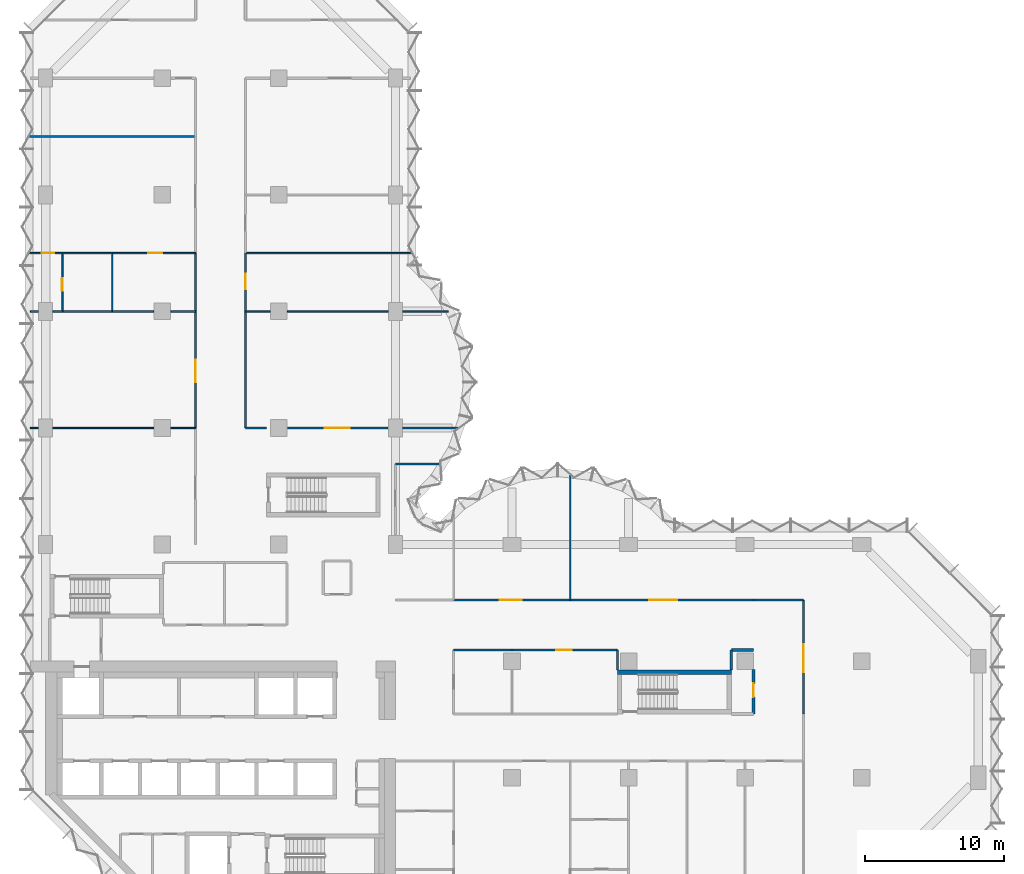
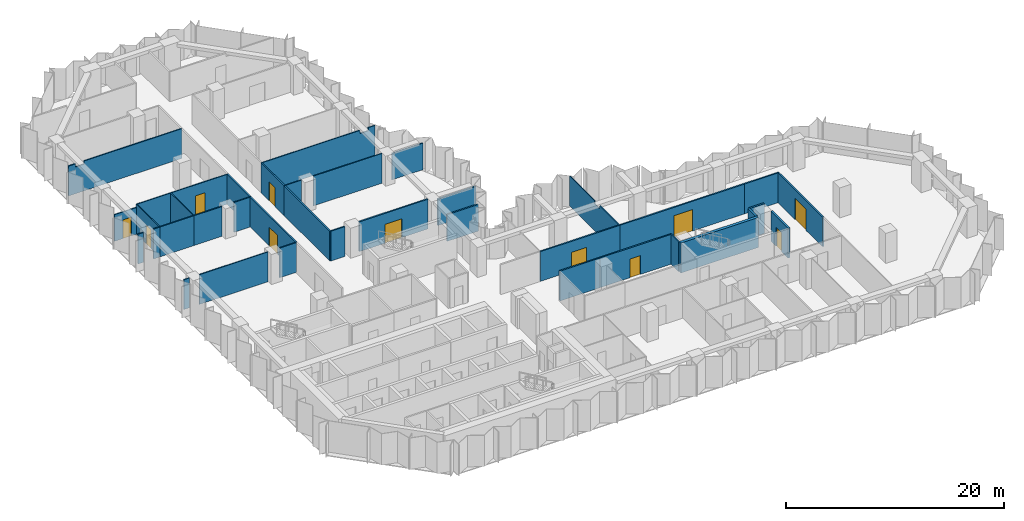
# One storey, part 10 of 13: 38 walls, 11 doors, 11 openings.
"""IFC4 building model written with IfcOpenShell, lengths in metres."""

from ifc_helpers import new_model, si_unit, direction, frame, frame_2d, origin, place, context, subcontext, project, spatial, polyline, rectangle, outline, extrude, material, layer, layer_set, type_object, element, fill, save


model = new_model("IFC4")

# Units and contexts
model_context = context("Model", 3, precision=1e-05, world=origin(), true_north=direction((0.0, 1.0)))
body_context = subcontext(model_context, "Body", "Model", "MODEL_VIEW")
ifc_project = project(units=[si_unit("LENGTHUNIT", "METRE"), si_unit("AREAUNIT", "SQUARE_METRE"), si_unit("VOLUMEUNIT", "CUBIC_METRE"), si_unit("PLANEANGLEUNIT", "RADIAN"), si_unit("MASSUNIT", "GRAM", prefix="KILO")], contexts=[model_context])

# Site, building, storey
site_placement = place(None, origin())
site = spatial("IfcSite", under=ifc_project, at=site_placement, CompositionType="ELEMENT")
building_placement = place(site_placement, origin())
building = spatial("IfcBuilding", under=site, at=building_placement, Name="Brevane Broadcast Tower", CompositionType="ELEMENT")
storey_placement = place(building_placement, frame((0.0, 0.0, 109.699951171875)))
storey = spatial("IfcBuildingStorey", under=building, at=storey_placement, Name="L26", CompositionType="ELEMENT", Elevation=109.699951171875)

# Walls
ifc_material_1 = material(Name="Concrete C60/75", Category="concrete")
ifc_layer_1 = layer(ifc_material_1, 0.300048828125)
ifc_layer_set_1 = layer_set([ifc_layer_1], Name="Core wall 300 mm C60/75")
wall_type_1 = type_object("IfcWallType", Name="Core wall 300 mm C60/75", PredefinedType="SHEAR", material=ifc_layer_set_1)
wall_1_placement = place(storey_placement, frame((41.199951171875, 16.0, 0.0), z_axis=(0.0, 0.0, 1.0), x_axis=(1.0, 0.0, 0.0)))
element("IfcWall", 1, at=wall_1_placement, inside=storey, type_object=wall_type_1, Name="L26 stair wall ST-4-N", PredefinedType="SHEAR", context=body_context, shape_type="SweptSolid", body=[
    extrude(rectangle(XDim=8.199951171875, YDim=0.300048828125, at=frame_2d((4.10009765625, 0.0))), origin(), (0.0, 0.0, 1.0), 3.35009765625),
])
ifc_material_2 = material(Name="Gypsum board partition")
ifc_layer_2 = layer(ifc_material_2, 0.10009765625)
ifc_layer_set_2 = layer_set([ifc_layer_2], Name="PARTITION 100 STUD")
wall_type_2 = type_object("IfcWallType", Name="PARTITION 100 STUD", PredefinedType="PARTITIONING", material=ifc_layer_set_2)
wall_2_placement = place(storey_placement, frame((37.800048828125, 30.24267578125, 0.0), z_axis=(0.0, 0.0, 1.0), x_axis=(0.0, -1.0, 0.0)))
element("IfcWall", 2, at=wall_2_placement, inside=storey, type_object=wall_type_2, Name="Partition G07-047", PredefinedType="PARTITIONING", context=body_context, shape_type="SweptSolid", body=[
    extrude(outline(polyline([(0.0, 0.0), (9.042724609375, 0.0), (9.042724609375, 3.330078125), (5.49267578125, 3.330078125), (5.49072265625, 2.97998046875), (4.5947265625, 2.97998046875), (4.5927734375, 3.330078125), (0.0, 3.330078125), (0.0, 0.0)])), frame((0.0, 0.050048828125, 0.0), z_axis=(0.0, -1.0, 0.0), x_axis=(1.0, 0.0, 0.0)), (0.0, 0.0, 1.0), 0.10009765625),
])
wall_3_placement = place(storey_placement, frame((-1.10009765625, 33.60009765625, 0.0), z_axis=(0.0, 0.0, 1.0), x_axis=(1.0, 0.0, 0.0)))
element("IfcWall", 3, at=wall_3_placement, inside=storey, type_object=wall_type_2, Name="Partition G07-066", PredefinedType="PARTITIONING", context=body_context, shape_type="SweptSolid", body=[
    extrude(rectangle(XDim=0.580078125, YDim=0.10009765625, at=frame_2d((0.2900390625, 0.0))), origin(), (0.0, 0.0, 1.0), 3.330078125),
])
wall_4_placement = place(storey_placement, frame((0.52001953125, 33.60009765625, 0.0), z_axis=(0.0, 0.0, 1.0), x_axis=(1.0, 0.0, 0.0)))
element("IfcWall", 4, at=wall_4_placement, inside=storey, type_object=wall_type_2, Name="Partition G07-067", PredefinedType="PARTITIONING", context=body_context, shape_type="SweptSolid", body=[
    extrude(rectangle(XDim=7.260009765625, YDim=0.10009765625, at=frame_2d((3.6298828125, 0.0))), origin(), (0.0, 0.0, 1.0), 3.330078125),
])
wall_5_placement = place(storey_placement, frame((9.02001953125, 33.60009765625, 0.0), z_axis=(0.0, 0.0, 1.0), x_axis=(1.0, 0.0, 0.0)))
element("IfcWall", 5, at=wall_5_placement, inside=storey, type_object=wall_type_2, Name="Partition G07-068", PredefinedType="PARTITIONING", context=body_context, shape_type="SweptSolid", body=[
    extrude(rectangle(XDim=1.780029296875, YDim=0.10009765625, at=frame_2d((0.89013671875, 0.0))), origin(), (0.0, 0.0, 1.0), 3.330078125),
])

# Wall, opening, door
wall_6_placement = place(storey_placement, frame((1.199951171875, 46.199951171875, 0.0), z_axis=(0.0, 0.0, 1.0), x_axis=(-1.0, 0.0, 0.0)))
wall_6 = element("IfcWall", 6, at=wall_6_placement, inside=storey, type_object=wall_type_2, Name="Partition G07-074", PredefinedType="PARTITIONING", context=body_context, shape_type="SweptSolid", body=[
    extrude(rectangle(XDim=2.3740234375, YDim=0.10009765625, at=frame_2d((1.18701171875, 0.0))), origin(), (0.0, 0.0, 1.0), 2.97998046875),
])
opening_1_placement = place(wall_6_placement, frame((0.60009765625, 0.0, 0.0)))
opening_1 = element("IfcOpeningElement", 7, at=opening_1_placement, cuts=wall_6, Name="Opening D14-021", PredefinedType="OPENING", context=body_context, shape_type="SweptSolid", body=[
    extrude(rectangle(XDim=0.89990234375, YDim=2.10009765625, at=frame_2d((0.449951171875, 1.050048828125))), frame((0.0, 0.06005859375, 0.0), z_axis=(0.0, -1.0, 0.0), x_axis=(1.0, 0.0, 0.0)), (0.0, 0.0, 1.0), 0.1201171875),
])
ifc_material_3 = material(Name="Timber door leaf", Category="wood")
door_type_1 = type_object("IfcDoorType", Name="DOOR SINGLE 900 INTERNAL", OperationType="SINGLE_SWING_LEFT", PredefinedType="DOOR", material=ifc_material_3)
door_1_placement = place(opening_1_placement, origin())
door_1 = element("IfcDoor", 8, at=door_1_placement, inside=storey, type_object=door_type_1, Name="Door D14-021", OperationType="SINGLE_SWING_LEFT", OverallHeight=2.10009765625, OverallWidth=0.89990234375, PredefinedType="DOOR", context=body_context, shape_type="SweptSolid", body=[
    extrude(rectangle(XDim=0.89990234375, YDim=2.10009765625, at=frame_2d((0.449951171875, 1.050048828125))), frame((0.0, 0.02490234375, 0.0), z_axis=(0.0, -1.0, 0.0), x_axis=(1.0, 0.0, 0.0)), (0.0, 0.0, 1.0), 0.050048828125),
])
fill(opening_1, door_1)

# Wall
wall_7_placement = place(storey_placement, frame((4.800048828125, 46.199951171875, 0.0), z_axis=(0.0, 0.0, 1.0), x_axis=(-1.0, 0.0, 0.0)))
element("IfcWall", 9, at=wall_7_placement, inside=storey, type_object=wall_type_2, Name="Partition G07-075", PredefinedType="PARTITIONING", context=body_context, shape_type="SweptSolid", body=[
    extrude(rectangle(XDim=3.60009765625, YDim=0.10009765625, at=frame_2d((1.800048828125, 0.0))), origin(), (0.0, 0.0, 1.0), 3.330078125),
])

# Wall, opening, door
wall_8_placement = place(storey_placement, frame((10.800048828125, 46.199951171875, 0.0), z_axis=(0.0, 0.0, 1.0), x_axis=(-1.0, 0.0, 0.0)))
wall_8 = element("IfcWall", 10, at=wall_8_placement, inside=storey, type_object=wall_type_2, Name="Partition G07-076", PredefinedType="PARTITIONING", context=body_context, shape_type="SweptSolid", body=[
    extrude(rectangle(XDim=6.0, YDim=0.10009765625, at=frame_2d((3.0, 0.0))), origin(), (0.0, 0.0, 1.0), 3.330078125),
])
opening_2_placement = place(wall_8_placement, frame((2.39990234375, 0.0, 0.0)))
opening_2 = element("IfcOpeningElement", 11, at=opening_2_placement, cuts=wall_8, Name="Opening D14-023", PredefinedType="OPENING", context=body_context, shape_type="SweptSolid", body=[
    extrude(rectangle(XDim=1.0, YDim=2.10009765625, at=frame_2d((0.5, 1.050048828125))), frame((0.0, 0.06005859375, 0.0), z_axis=(0.0, -1.0, 0.0), x_axis=(1.0, 0.0, 0.0)), (0.0, 0.0, 1.0), 0.1201171875),
])
door_type_2 = type_object("IfcDoorType", Name="DOOR SINGLE 1000 INTERNAL", OperationType="SINGLE_SWING_LEFT", PredefinedType="DOOR", material=ifc_material_3)
door_2_placement = place(opening_2_placement, origin())
door_2 = element("IfcDoor", 12, at=door_2_placement, inside=storey, type_object=door_type_2, Name="Door D14-023", OperationType="SINGLE_SWING_LEFT", OverallHeight=2.10009765625, OverallWidth=1.0, PredefinedType="DOOR", context=body_context, shape_type="SweptSolid", body=[
    extrude(rectangle(XDim=1.0, YDim=2.10009765625, at=frame_2d((0.5, 1.050048828125))), frame((0.0, 0.02490234375, 0.0), z_axis=(0.0, -1.0, 0.0), x_axis=(1.0, 0.0, 0.0)), (0.0, 0.0, 1.0), 0.050048828125),
])
fill(opening_2, door_2)

wall_9_placement = place(storey_placement, frame((1.199951171875, 46.199951171875, 0.0), z_axis=(0.0, 0.0, 1.0), x_axis=(0.0, -1.0, 0.0)))
wall_9 = element("IfcWall", 13, at=wall_9_placement, inside=storey, type_object=wall_type_2, Name="Partition G07-078", PredefinedType="PARTITIONING", context=body_context, shape_type="SweptSolid", body=[
    extrude(rectangle(XDim=4.199951171875, YDim=0.10009765625, at=frame_2d((2.10009765625, 0.0))), origin(), (0.0, 0.0, 1.0), 3.330078125),
])
opening_3_placement = place(wall_9_placement, frame((1.800048828125, 0.0, 0.0)))
opening_3 = element("IfcOpeningElement", 14, at=opening_3_placement, cuts=wall_9, Name="Opening D14-022", PredefinedType="OPENING", context=body_context, shape_type="SweptSolid", body=[
    extrude(rectangle(XDim=0.89990234375, YDim=2.10009765625, at=frame_2d((0.449951171875, 1.050048828125))), frame((0.0, 0.06005859375, 0.0), z_axis=(0.0, -1.0, 0.0), x_axis=(1.0, 0.0, 0.0)), (0.0, 0.0, 1.0), 0.1201171875),
])
door_3_placement = place(opening_3_placement, origin())
door_3 = element("IfcDoor", 15, at=door_3_placement, inside=storey, type_object=door_type_1, Name="Door D14-022", OperationType="SINGLE_SWING_LEFT", OverallHeight=2.10009765625, OverallWidth=0.89990234375, PredefinedType="DOOR", context=body_context, shape_type="SweptSolid", body=[
    extrude(rectangle(XDim=0.89990234375, YDim=2.10009765625, at=frame_2d((0.449951171875, 1.050048828125))), frame((0.0, 0.02490234375, 0.0), z_axis=(0.0, -1.0, 0.0), x_axis=(1.0, 0.0, 0.0)), (0.0, 0.0, 1.0), 0.050048828125),
])
fill(opening_3, door_3)

# Walls
wall_10_placement = place(storey_placement, frame((4.800048828125, 46.199951171875, 0.0), z_axis=(0.0, 0.0, 1.0), x_axis=(0.0, -1.0, 0.0)))
element("IfcWall", 16, at=wall_10_placement, inside=storey, type_object=wall_type_2, Name="Partition G07-079", PredefinedType="PARTITIONING", context=body_context, shape_type="SweptSolid", body=[
    extrude(rectangle(XDim=4.199951171875, YDim=0.10009765625, at=frame_2d((2.10009765625, 0.0))), origin(), (0.0, 0.0, 1.0), 3.330078125),
])
wall_11_placement = place(storey_placement, frame((14.39990234375, 42.0, 0.0), z_axis=(0.0, 0.0, 1.0), x_axis=(1.0, 0.0, 0.0)))
element("IfcWall", 17, at=wall_11_placement, inside=storey, type_object=wall_type_2, Name="Partition G07-084", PredefinedType="PARTITIONING", context=body_context, shape_type="SweptSolid", body=[
    extrude(rectangle(XDim=1.780029296875, YDim=0.10009765625, at=frame_2d((0.89013671875, 0.0))), origin(), (0.0, 0.0, 1.0), 3.330078125),
])
wall_12_placement = place(storey_placement, frame((17.419921875, 42.0, 0.0), z_axis=(0.0, 0.0, 1.0), x_axis=(1.0, 0.0, 0.0)))
element("IfcWall", 18, at=wall_12_placement, inside=storey, type_object=wall_type_2, Name="Partition G07-085", PredefinedType="PARTITIONING", context=body_context, shape_type="SweptSolid", body=[
    extrude(rectangle(XDim=7.260009765625, YDim=0.10009765625, at=frame_2d((3.6298828125, 0.0))), origin(), (0.0, 0.0, 1.0), 3.330078125),
])
wall_13_placement = place(storey_placement, frame((25.719970703125, 42.0, 0.0), z_axis=(0.0, 0.0, 1.0), x_axis=(1.0, 0.0, 0.0)))
element("IfcWall", 19, at=wall_13_placement, inside=storey, type_object=wall_type_2, Name="Partition G07-086", PredefinedType="PARTITIONING", context=body_context, shape_type="SweptSolid", body=[
    extrude(rectangle(XDim=3.29150390625, YDim=0.10009765625, at=frame_2d((1.645751953125, 0.0))), origin(), (0.0, 0.0, 1.0), 2.97998046875),
])
wall_14_placement = place(storey_placement, frame((14.39990234375, 46.199951171875, 0.0), z_axis=(0.0, 0.0, 1.0), x_axis=(1.0, 0.0, 0.0)))
element("IfcWall", 20, at=wall_14_placement, inside=storey, type_object=wall_type_2, Name="Partition G07-087", PredefinedType="PARTITIONING", context=body_context, shape_type="SweptSolid", body=[
    extrude(outline(polyline([(0.0, 0.0), (11.97412109375, 0.0), (11.97412109375, 3.330078125), (11.89990234375, 3.330078125), (11.25, 3.330078125), (11.248046875, 2.97998046875), (10.35205078125, 2.97998046875), (10.35009765625, 3.330078125), (0.0, 3.330078125), (0.0, 0.0)])), frame((0.0, 0.050048828125, 0.0), z_axis=(0.0, -1.0, 0.0), x_axis=(1.0, 0.0, 0.0)), (0.0, 0.0, 1.0), 0.10009765625),
])
ifc_layer_3 = layer(ifc_material_2, 0.125)
ifc_layer_set_3 = layer_set([ifc_layer_3], Name="PARTITION 125 ACOUSTIC")
wall_type_3 = type_object("IfcWallType", Name="PARTITION 125 ACOUSTIC", PredefinedType="PARTITIONING", material=ifc_layer_set_3)
wall_15_placement = place(storey_placement, frame((-1.10009765625, 42.0, 0.0), z_axis=(0.0, 0.0, 1.0), x_axis=(1.0, 0.0, 0.0)))
element("IfcWall", 21, at=wall_15_placement, inside=storey, type_object=wall_type_3, Name="Partition G07-069", PredefinedType="PARTITIONING", context=body_context, shape_type="SweptSolid", body=[
    extrude(rectangle(XDim=0.580078125, YDim=0.125, at=frame_2d((0.2900390625, 0.0))), origin(), (0.0, 0.0, 1.0), 3.330078125),
])
wall_16_placement = place(storey_placement, frame((0.52001953125, 42.0, 0.0), z_axis=(0.0, 0.0, 1.0), x_axis=(1.0, 0.0, 0.0)))
element("IfcWall", 22, at=wall_16_placement, inside=storey, type_object=wall_type_3, Name="Partition G07-070", PredefinedType="PARTITIONING", context=body_context, shape_type="SweptSolid", body=[
    extrude(rectangle(XDim=0.679931640625, YDim=0.125, at=frame_2d((0.33984375, 0.0))), origin(), (0.0, 0.0, 1.0), 3.330078125),
])
wall_17_placement = place(storey_placement, frame((1.199951171875, 42.0, 0.0), z_axis=(0.0, 0.0, 1.0), x_axis=(1.0, 0.0, 0.0)))
element("IfcWall", 23, at=wall_17_placement, inside=storey, type_object=wall_type_3, Name="Partition G07-071", PredefinedType="PARTITIONING", context=body_context, shape_type="SweptSolid", body=[
    extrude(rectangle(XDim=3.60009765625, YDim=0.125, at=frame_2d((1.800048828125, 0.0))), origin(), (0.0, 0.0, 1.0), 3.330078125),
])
wall_18_placement = place(storey_placement, frame((4.800048828125, 42.0, 0.0), z_axis=(0.0, 0.0, 1.0), x_axis=(1.0, 0.0, 0.0)))
element("IfcWall", 24, at=wall_18_placement, inside=storey, type_object=wall_type_3, Name="Partition G07-072", PredefinedType="PARTITIONING", context=body_context, shape_type="SweptSolid", body=[
    extrude(rectangle(XDim=2.97998046875, YDim=0.125, at=frame_2d((1.489990234375, 0.0))), origin(), (0.0, 0.0, 1.0), 3.330078125),
])
wall_19_placement = place(storey_placement, frame((9.02001953125, 42.0, 0.0), z_axis=(0.0, 0.0, 1.0), x_axis=(1.0, 0.0, 0.0)))
element("IfcWall", 25, at=wall_19_placement, inside=storey, type_object=wall_type_3, Name="Partition G07-073", PredefinedType="PARTITIONING", context=body_context, shape_type="SweptSolid", body=[
    extrude(rectangle(XDim=1.780029296875, YDim=0.125, at=frame_2d((0.89013671875, 0.0))), origin(), (0.0, 0.0, 1.0), 3.330078125),
])
wall_20_placement = place(storey_placement, frame((-1.174072265625, 54.60009765625, 0.0), z_axis=(0.0, 0.0, 1.0), x_axis=(1.0, 0.0, 0.0)))
element("IfcWall", 26, at=wall_20_placement, inside=storey, type_object=wall_type_3, Name="Partition G07-077", PredefinedType="PARTITIONING", context=body_context, shape_type="SweptSolid", body=[
    extrude(outline(polyline([(0.0, 0.0), (11.97412109375, 0.0), (11.97412109375, 3.330078125), (1.6240234375, 3.330078125), (1.6220703125, 2.97998046875), (0.72607421875, 2.97998046875), (0.72412109375, 3.330078125), (0.073974609375, 3.330078125), (0.0, 3.330078125), (0.0, 0.0)])), frame((0.0, 0.0625, 0.0), z_axis=(0.0, -1.0, 0.0), x_axis=(1.0, 0.0, 0.0)), (0.0, 0.0, 1.0), 0.125),
])
ifc_layer_4 = layer(ifc_material_2, 0.14990234375)
ifc_layer_set_4 = layer_set([ifc_layer_4], Name="PARTITION 150 EI 60")
wall_type_4 = type_object("IfcWallType", Name="PARTITION 150 EI 60", PredefinedType="PARTITIONING", material=ifc_layer_set_4)
wall_21_placement = place(storey_placement, frame((25.199951171875, 31.0, 0.0), z_axis=(0.0, 0.0, 1.0), x_axis=(1.0, 0.0, 0.0)))
element("IfcWall", 27, at=wall_21_placement, inside=storey, type_object=wall_type_4, Name="Partition G07-006", PredefinedType="PARTITIONING", context=body_context, shape_type="SweptSolid", body=[
    extrude(rectangle(XDim=3.32421875, YDim=0.14990234375, at=frame_2d((1.662109375, 0.0))), origin(), (0.0, 0.0, 1.0), 2.97998046875),
])

# Wall, opening, door
wall_22_placement = place(storey_placement, frame((54.60009765625, 21.199951171875, 0.0), z_axis=(0.0, 0.0, 1.0), x_axis=(0.0, -1.0, 0.0)))
wall_22 = element("IfcWall", 28, at=wall_22_placement, inside=storey, type_object=wall_type_4, Name="Partition G07-016", PredefinedType="PARTITIONING", context=body_context, shape_type="SweptSolid", body=[
    extrude(rectangle(XDim=8.199951171875, YDim=0.14990234375, at=frame_2d((4.10009765625, 0.0))), origin(), (0.0, 0.0, 1.0), 3.330078125),
])
opening_4_placement = place(wall_22_placement, frame((3.199951171875, 0.0, 0.0)))
opening_4 = element("IfcOpeningElement", 29, at=opening_4_placement, cuts=wall_22, Name="Opening D14-002", PredefinedType="OPENING", context=body_context, shape_type="SweptSolid", body=[
    extrude(rectangle(XDim=2.0, YDim=2.39990234375, at=frame_2d((1.0, 1.199951171875))), frame((0.0, 0.0849609375, 0.0), z_axis=(0.0, -1.0, 0.0), x_axis=(1.0, 0.0, 0.0)), (0.0, 0.0, 1.0), 0.169921875),
])
ifc_material_4 = material(Name="Fire-rated timber door leaf", Category="wood")
door_type_3 = type_object("IfcDoorType", Name="DOOR DOUBLE 2000 FD30S", OperationType="DOUBLE_DOOR_SINGLE_SWING", PredefinedType="DOOR", material=ifc_material_4)
door_4_placement = place(opening_4_placement, origin())
door_4 = element("IfcDoor", 30, at=door_4_placement, inside=storey, type_object=door_type_3, Name="Door D14-002", OperationType="DOUBLE_DOOR_SINGLE_SWING", OverallHeight=2.39990234375, OverallWidth=2.0, PredefinedType="DOOR", context=body_context, shape_type="SweptSolid", body=[
    extrude(rectangle(XDim=2.0, YDim=2.39990234375, at=frame_2d((1.0, 1.199951171875))), frame((0.0, 0.02490234375, 0.0), z_axis=(0.0, -1.0, 0.0), x_axis=(1.0, 0.0, 0.0)), (0.0, 0.0, 1.0), 0.050048828125),
])
fill(opening_4, door_4)

# Walls
wall_23_placement = place(storey_placement, frame((33.60009765625, 17.60009765625, 0.0), z_axis=(0.0, 0.0, 1.0), x_axis=(-1.0, 0.0, 0.0)))
element("IfcWall", 31, at=wall_23_placement, inside=storey, type_object=wall_type_4, Name="Partition G07-018", PredefinedType="PARTITIONING", context=body_context, shape_type="SweptSolid", body=[
    extrude(rectangle(XDim=4.2001953125, YDim=0.14990234375, at=frame_2d((2.10009765625, 0.0))), origin(), (0.0, 0.0, 1.0), 3.330078125),
])
wall_24_placement = place(storey_placement, frame((41.199951171875, 16.14990234375, 0.0), z_axis=(0.0, 0.0, 1.0), x_axis=(0.0, 1.0, 0.0)))
element("IfcWall", 32, at=wall_24_placement, inside=storey, type_object=wall_type_4, Name="Partition G07-019", PredefinedType="PARTITIONING", context=body_context, shape_type="SweptSolid", body=[
    extrude(rectangle(XDim=1.4501953125, YDim=0.14990234375, at=frame_2d((0.72509765625, 0.0))), origin(), (0.0, 0.0, 1.0), 3.330078125),
])

# Wall, opening, door
wall_25_placement = place(storey_placement, frame((41.199951171875, 17.60009765625, 0.0), z_axis=(0.0, 0.0, 1.0), x_axis=(-1.0, 0.0, 0.0)))
wall_25 = element("IfcWall", 33, at=wall_25_placement, inside=storey, type_object=wall_type_4, Name="Partition G07-020", PredefinedType="PARTITIONING", context=body_context, shape_type="SweptSolid", body=[
    extrude(rectangle(XDim=7.599853515625, YDim=0.14990234375, at=frame_2d((3.7998046875, 0.0))), origin(), (0.0, 0.0, 1.0), 3.330078125),
])
opening_5_placement = place(wall_25_placement, frame((3.300048828125, 0.0, 0.0)))
opening_5 = element("IfcOpeningElement", 34, at=opening_5_placement, cuts=wall_25, Name="Opening D14-004", PredefinedType="OPENING", context=body_context, shape_type="SweptSolid", body=[
    extrude(rectangle(XDim=1.10009765625, YDim=2.10009765625, at=frame_2d((0.550048828125, 1.050048828125))), frame((0.0, 0.0849609375, 0.0), z_axis=(0.0, -1.0, 0.0), x_axis=(1.0, 0.0, 0.0)), (0.0, 0.0, 1.0), 0.169921875),
])
door_type_4 = type_object("IfcDoorType", Name="DOOR SINGLE 1100 FD30S", OperationType="SINGLE_SWING_LEFT", PredefinedType="DOOR", material=ifc_material_4)
door_5_placement = place(opening_5_placement, origin())
door_5 = element("IfcDoor", 35, at=door_5_placement, inside=storey, type_object=door_type_4, Name="Door D14-004", OperationType="SINGLE_SWING_LEFT", OverallHeight=2.10009765625, OverallWidth=1.10009765625, PredefinedType="DOOR", context=body_context, shape_type="SweptSolid", body=[
    extrude(rectangle(XDim=1.10009765625, YDim=2.10009765625, at=frame_2d((0.550048828125, 1.050048828125))), frame((0.0, 0.02490234375, 0.0), z_axis=(0.0, -1.0, 0.0), x_axis=(1.0, 0.0, 0.0)), (0.0, 0.0, 1.0), 0.050048828125),
])
fill(opening_5, door_5)

wall_26_placement = place(storey_placement, frame((29.39990234375, 21.199951171875, 0.0), z_axis=(0.0, 0.0, 1.0), x_axis=(1.0, 0.0, 0.0)))
wall_26 = element("IfcWall", 36, at=wall_26_placement, inside=storey, type_object=wall_type_4, Name="Partition G07-023", PredefinedType="PARTITIONING", context=body_context, shape_type="SweptSolid", body=[
    extrude(rectangle(XDim=8.400146484375, YDim=0.14990234375, at=frame_2d((4.2001953125, 0.0))), origin(), (0.0, 0.0, 1.0), 3.330078125),
])
opening_6_placement = place(wall_26_placement, frame((3.300048828125, 0.0, 0.0)))
opening_6 = element("IfcOpeningElement", 37, at=opening_6_placement, cuts=wall_26, Name="Opening D14-016", PredefinedType="OPENING", context=body_context, shape_type="SweptSolid", body=[
    extrude(rectangle(XDim=1.60009765625, YDim=2.10009765625, at=frame_2d((0.800048828125, 1.050048828125))), frame((0.0, 0.0849609375, 0.0), z_axis=(0.0, -1.0, 0.0), x_axis=(1.0, 0.0, 0.0)), (0.0, 0.0, 1.0), 0.169921875),
])
door_type_5 = type_object("IfcDoorType", Name="DOOR DOUBLE 1600 FD30S", OperationType="DOUBLE_DOOR_SINGLE_SWING", PredefinedType="DOOR", material=ifc_material_4)
door_6_placement = place(opening_6_placement, origin())
door_6 = element("IfcDoor", 38, at=door_6_placement, inside=storey, type_object=door_type_5, Name="Door D14-016", OperationType="DOUBLE_DOOR_SINGLE_SWING", OverallHeight=2.10009765625, OverallWidth=1.60009765625, PredefinedType="DOOR", context=body_context, shape_type="SweptSolid", body=[
    extrude(rectangle(XDim=1.60009765625, YDim=2.10009765625, at=frame_2d((0.800048828125, 1.050048828125))), frame((0.0, 0.02490234375, 0.0), z_axis=(0.0, -1.0, 0.0), x_axis=(1.0, 0.0, 0.0)), (0.0, 0.0, 1.0), 0.050048828125),
])
fill(opening_6, door_6)

wall_27_placement = place(storey_placement, frame((37.800048828125, 21.199951171875, 0.0), z_axis=(0.0, 0.0, 1.0), x_axis=(1.0, 0.0, 0.0)))
wall_27 = element("IfcWall", 39, at=wall_27_placement, inside=storey, type_object=wall_type_4, Name="Partition G07-024", PredefinedType="PARTITIONING", context=body_context, shape_type="SweptSolid", body=[
    extrude(rectangle(XDim=13.199951171875, YDim=0.14990234375, at=frame_2d((6.60009765625, 0.0))), origin(), (0.0, 0.0, 1.0), 3.330078125),
])
opening_7_placement = place(wall_27_placement, frame((5.699951171875, 0.0, 0.0)))
opening_7 = element("IfcOpeningElement", 40, at=opening_7_placement, cuts=wall_27, Name="Opening D14-017", PredefinedType="OPENING", context=body_context, shape_type="SweptSolid", body=[
    extrude(rectangle(XDim=2.0, YDim=2.39990234375, at=frame_2d((1.0, 1.199951171875))), frame((0.0, 0.0849609375, 0.0), z_axis=(0.0, -1.0, 0.0), x_axis=(1.0, 0.0, 0.0)), (0.0, 0.0, 1.0), 0.169921875),
])
door_7_placement = place(opening_7_placement, origin())
door_7 = element("IfcDoor", 41, at=door_7_placement, inside=storey, type_object=door_type_3, Name="Door D14-017", OperationType="DOUBLE_DOOR_SINGLE_SWING", OverallHeight=2.39990234375, OverallWidth=2.0, PredefinedType="DOOR", context=body_context, shape_type="SweptSolid", body=[
    extrude(rectangle(XDim=2.0, YDim=2.39990234375, at=frame_2d((1.0, 1.199951171875))), frame((0.0, 0.02490234375, 0.0), z_axis=(0.0, -1.0, 0.0), x_axis=(1.0, 0.0, 0.0)), (0.0, 0.0, 1.0), 0.050048828125),
])
fill(opening_7, door_7)

# Walls
wall_28_placement = place(storey_placement, frame((51.0, 21.199951171875, 0.0), z_axis=(0.0, 0.0, 1.0), x_axis=(1.0, 0.0, 0.0)))
element("IfcWall", 42, at=wall_28_placement, inside=storey, type_object=wall_type_4, Name="Partition G07-026", PredefinedType="PARTITIONING", context=body_context, shape_type="SweptSolid", body=[
    extrude(rectangle(XDim=3.60009765625, YDim=0.14990234375, at=frame_2d((1.800048828125, 0.0))), origin(), (0.0, 0.0, 1.0), 3.330078125),
])
wall_29_placement = place(storey_placement, frame((14.39990234375, 33.60009765625, 0.0), z_axis=(0.0, 0.0, 1.0), x_axis=(1.0, 0.0, 0.0)))
element("IfcWall", 43, at=wall_29_placement, inside=storey, type_object=wall_type_4, Name="Partition G07-049", PredefinedType="PARTITIONING", context=body_context, shape_type="SweptSolid", body=[
    extrude(rectangle(XDim=1.5, YDim=0.14990234375, at=frame_2d((0.75, 0.0))), origin(), (0.0, 0.0, 1.0), 3.330078125),
])

# Wall, opening, door
wall_30_placement = place(storey_placement, frame((17.419921875, 33.60009765625, 0.0), z_axis=(0.0, 0.0, 1.0), x_axis=(1.0, 0.0, 0.0)))
wall_30 = element("IfcWall", 44, at=wall_30_placement, inside=storey, type_object=wall_type_4, Name="Partition G07-050", PredefinedType="PARTITIONING", context=body_context, shape_type="SweptSolid", body=[
    extrude(rectangle(XDim=7.260009765625, YDim=0.14990234375, at=frame_2d((3.6298828125, 0.0))), origin(), (0.0, 0.0, 1.0), 3.330078125),
])
opening_8_placement = place(wall_30_placement, frame((2.699951171875, 0.0, 0.0)))
opening_8 = element("IfcOpeningElement", 45, at=opening_8_placement, cuts=wall_30, Name="Opening D14-026", PredefinedType="OPENING", context=body_context, shape_type="SweptSolid", body=[
    extrude(rectangle(XDim=1.800048828125, YDim=2.10009765625, at=frame_2d((0.89990234375, 1.050048828125))), frame((0.0, 0.0849609375, 0.0), z_axis=(0.0, -1.0, 0.0), x_axis=(1.0, 0.0, 0.0)), (0.0, 0.0, 1.0), 0.169921875),
])
door_type_6 = type_object("IfcDoorType", Name="DOOR DOUBLE 1800 FD30S", OperationType="DOUBLE_DOOR_SINGLE_SWING", PredefinedType="DOOR", material=ifc_material_4)
door_8_placement = place(opening_8_placement, origin())
door_8 = element("IfcDoor", 46, at=door_8_placement, inside=storey, type_object=door_type_6, Name="Door D14-026", OperationType="DOUBLE_DOOR_SINGLE_SWING", OverallHeight=2.10009765625, OverallWidth=1.800048828125, PredefinedType="DOOR", context=body_context, shape_type="SweptSolid", body=[
    extrude(rectangle(XDim=1.800048828125, YDim=2.10009765625, at=frame_2d((0.89990234375, 1.050048828125))), frame((0.0, 0.02490234375, 0.0), z_axis=(0.0, -1.0, 0.0), x_axis=(1.0, 0.0, 0.0)), (0.0, 0.0, 1.0), 0.050048828125),
])
fill(opening_8, door_8)

# Wall
wall_31_placement = place(storey_placement, frame((25.719970703125, 33.60009765625, 0.0), z_axis=(0.0, 0.0, 1.0), x_axis=(1.0, 0.0, 0.0)))
element("IfcWall", 47, at=wall_31_placement, inside=storey, type_object=wall_type_4, Name="Partition G07-051", PredefinedType="PARTITIONING", context=body_context, shape_type="SweptSolid", body=[
    extrude(rectangle(XDim=4.0419921875, YDim=0.14990234375, at=frame_2d((2.02099609375, 0.0))), origin(), (0.0, 0.0, 1.0), 2.97998046875),
])

# Wall, opening, door
wall_32_placement = place(storey_placement, frame((10.800048828125, 33.60009765625, 0.0), z_axis=(0.0, 0.0, 1.0), x_axis=(0.0, 1.0, 0.0)))
wall_32 = element("IfcWall", 48, at=wall_32_placement, inside=storey, type_object=wall_type_4, Name="Partition G07-052", PredefinedType="PARTITIONING", context=body_context, shape_type="SweptSolid", body=[
    extrude(rectangle(XDim=8.39990234375, YDim=0.14990234375, at=frame_2d((4.199951171875, 0.0))), origin(), (0.0, 0.0, 1.0), 3.330078125),
])
opening_9_placement = place(wall_32_placement, frame((3.300048828125, 0.0, 0.0)))
opening_9 = element("IfcOpeningElement", 49, at=opening_9_placement, cuts=wall_32, Name="Opening D14-019", PredefinedType="OPENING", context=body_context, shape_type="SweptSolid", body=[
    extrude(rectangle(XDim=1.60009765625, YDim=2.10009765625, at=frame_2d((0.800048828125, 1.050048828125))), frame((0.0, 0.0849609375, 0.0), z_axis=(0.0, -1.0, 0.0), x_axis=(1.0, 0.0, 0.0)), (0.0, 0.0, 1.0), 0.169921875),
])
door_9_placement = place(opening_9_placement, origin())
door_9 = element("IfcDoor", 50, at=door_9_placement, inside=storey, type_object=door_type_5, Name="Door D14-019", OperationType="DOUBLE_DOOR_SINGLE_SWING", OverallHeight=2.10009765625, OverallWidth=1.60009765625, PredefinedType="DOOR", context=body_context, shape_type="SweptSolid", body=[
    extrude(rectangle(XDim=1.60009765625, YDim=2.10009765625, at=frame_2d((0.800048828125, 1.050048828125))), frame((0.0, 0.02490234375, 0.0), z_axis=(0.0, -1.0, 0.0), x_axis=(1.0, 0.0, 0.0)), (0.0, 0.0, 1.0), 0.050048828125),
])
fill(opening_9, door_9)

# Walls
wall_33_placement = place(storey_placement, frame((10.800048828125, 42.0, 0.0), z_axis=(0.0, 0.0, 1.0), x_axis=(0.0, 1.0, 0.0)))
element("IfcWall", 51, at=wall_33_placement, inside=storey, type_object=wall_type_4, Name="Partition G07-054", PredefinedType="PARTITIONING", context=body_context, shape_type="SweptSolid", body=[
    extrude(rectangle(XDim=4.199951171875, YDim=0.14990234375, at=frame_2d((2.10009765625, 0.0))), origin(), (0.0, 0.0, 1.0), 3.330078125),
])
wall_34_placement = place(storey_placement, frame((14.39990234375, 42.0, 0.0), z_axis=(0.0, 0.0, 1.0), x_axis=(0.0, -1.0, 0.0)))
element("IfcWall", 52, at=wall_34_placement, inside=storey, type_object=wall_type_4, Name="Partition G07-057", PredefinedType="PARTITIONING", context=body_context, shape_type="SweptSolid", body=[
    extrude(rectangle(XDim=8.39990234375, YDim=0.14990234375, at=frame_2d((4.199951171875, 0.0))), origin(), (0.0, 0.0, 1.0), 3.330078125),
])

# Wall, opening, door
wall_35_placement = place(storey_placement, frame((14.39990234375, 46.199951171875, 0.0), z_axis=(0.0, 0.0, 1.0), x_axis=(0.0, -1.0, 0.0)))
wall_35 = element("IfcWall", 53, at=wall_35_placement, inside=storey, type_object=wall_type_4, Name="Partition G07-058", PredefinedType="PARTITIONING", context=body_context, shape_type="SweptSolid", body=[
    extrude(rectangle(XDim=4.199951171875, YDim=0.14990234375, at=frame_2d((2.10009765625, 0.0))), origin(), (0.0, 0.0, 1.0), 3.330078125),
])
opening_10_placement = place(wall_35_placement, frame((1.5, 0.0, 0.0)))
opening_10 = element("IfcOpeningElement", 54, at=opening_10_placement, cuts=wall_35, Name="Opening D14-027", PredefinedType="OPENING", context=body_context, shape_type="SweptSolid", body=[
    extrude(rectangle(XDim=1.10009765625, YDim=2.10009765625, at=frame_2d((0.550048828125, 1.050048828125))), frame((0.0, 0.0849609375, 0.0), z_axis=(0.0, -1.0, 0.0), x_axis=(1.0, 0.0, 0.0)), (0.0, 0.0, 1.0), 0.169921875),
])
door_10_placement = place(opening_10_placement, origin())
door_10 = element("IfcDoor", 55, at=door_10_placement, inside=storey, type_object=door_type_4, Name="Door D14-027", OperationType="SINGLE_SWING_LEFT", OverallHeight=2.10009765625, OverallWidth=1.10009765625, PredefinedType="DOOR", context=body_context, shape_type="SweptSolid", body=[
    extrude(rectangle(XDim=1.10009765625, YDim=2.10009765625, at=frame_2d((0.550048828125, 1.050048828125))), frame((0.0, 0.02490234375, 0.0), z_axis=(0.0, -1.0, 0.0), x_axis=(1.0, 0.0, 0.0)), (0.0, 0.0, 1.0), 0.050048828125),
])
fill(opening_10, door_10)

# Walls
ifc_layer_5 = layer(ifc_material_2, 0.199951171875)
ifc_layer_set_5 = layer_set([ifc_layer_5], Name="PARTITION 200 EI 120")
wall_type_5 = type_object("IfcWallType", Name="PARTITION 200 EI 120", PredefinedType="PARTITIONING", material=ifc_layer_set_5)
wall_36_placement = place(storey_placement, frame((51.0, 17.60009765625, 0.0), z_axis=(0.0, 0.0, 1.0), x_axis=(-1.0, 0.0, 0.0)))
element("IfcWall", 56, at=wall_36_placement, inside=storey, type_object=wall_type_5, Name="Partition G07-021", PredefinedType="PARTITIONING", context=body_context, shape_type="SweptSolid", body=[
    extrude(rectangle(XDim=1.60009765625, YDim=0.199951171875, at=frame_2d((0.800048828125, 0.0))), origin(), (0.0, 0.0, 1.0), 3.330078125),
])
wall_37_placement = place(storey_placement, frame((49.39990234375, 17.60009765625, 0.0), z_axis=(0.0, 0.0, 1.0), x_axis=(0.0, -1.0, 0.0)))
element("IfcWall", 57, at=wall_37_placement, inside=storey, type_object=wall_type_5, Name="Partition G07-022", PredefinedType="PARTITIONING", context=body_context, shape_type="SweptSolid", body=[
    extrude(rectangle(XDim=1.4501953125, YDim=0.199951171875, at=frame_2d((0.72509765625, 0.0))), origin(), (0.0, 0.0, 1.0), 3.330078125),
])

# Wall, opening, door
wall_38_placement = place(storey_placement, frame((51.0, 13.0, 0.0), z_axis=(0.0, 0.0, 1.0), x_axis=(0.0, 1.0, 0.0)))
wall_38 = element("IfcWall", 58, at=wall_38_placement, inside=storey, type_object=wall_type_5, Name="Partition G07-025", PredefinedType="PARTITIONING", context=body_context, shape_type="SweptSolid", body=[
    extrude(rectangle(XDim=3.179931640625, YDim=0.199951171875, at=frame_2d((1.58984375, 0.0))), origin(), (0.0, 0.0, 1.0), 3.330078125),
])
opening_11_placement = place(wall_38_placement, frame((1.199951171875, 0.0, 0.0)))
opening_11 = element("IfcOpeningElement", 59, at=opening_11_placement, cuts=wall_38, Name="Opening D14-005", PredefinedType="OPENING", context=body_context, shape_type="SweptSolid", body=[
    extrude(rectangle(XDim=1.0, YDim=2.10009765625, at=frame_2d((0.5, 1.050048828125))), frame((0.0, 0.10986328125, 0.0), z_axis=(0.0, -1.0, 0.0), x_axis=(1.0, 0.0, 0.0)), (0.0, 0.0, 1.0), 0.219970703125),
])
door_type_7 = type_object("IfcDoorType", Name="DOOR SINGLE 1000 FD60", OperationType="SINGLE_SWING_LEFT", PredefinedType="DOOR", material=ifc_material_4)
door_11_placement = place(opening_11_placement, origin())
door_11 = element("IfcDoor", 60, at=door_11_placement, inside=storey, type_object=door_type_7, Name="Door D14-005", OperationType="SINGLE_SWING_LEFT", OverallHeight=2.10009765625, OverallWidth=1.0, PredefinedType="DOOR", context=body_context, shape_type="SweptSolid", body=[
    extrude(rectangle(XDim=1.0, YDim=2.10009765625, at=frame_2d((0.5, 1.050048828125))), frame((0.0, 0.02490234375, 0.0), z_axis=(0.0, -1.0, 0.0), x_axis=(1.0, 0.0, 0.0)), (0.0, 0.0, 1.0), 0.050048828125),
])
fill(opening_11, door_11)

save(model, "model.ifc")
